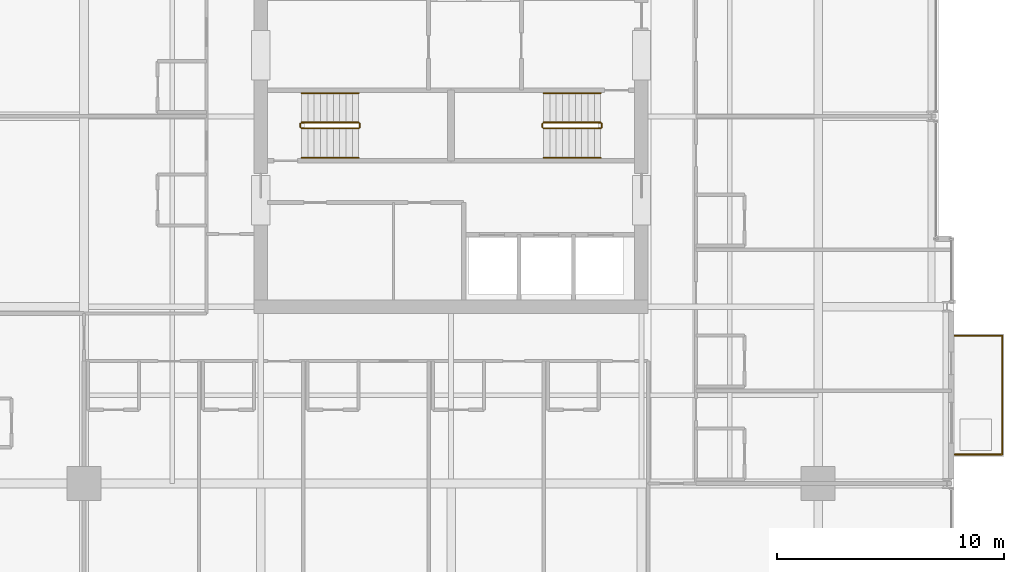
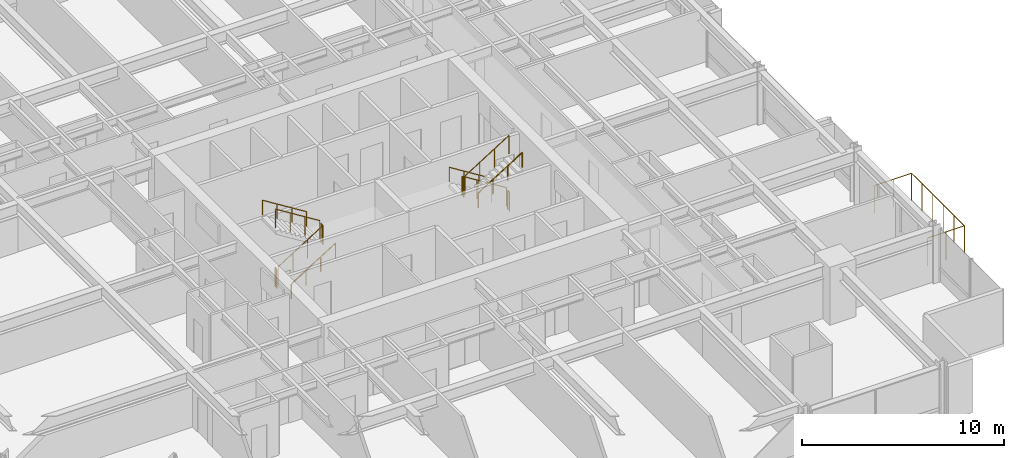
# One storey, part 33 of 34: 13 railings.
"""IFC4 building model written with IfcOpenShell, lengths in metres."""

from ifc_helpers import new_model, si_unit, direction, frame, origin, origin_2d, place, context, subcontext, project, spatial, circle, extrude, material, type_object, element, save


model = new_model("IFC4")

# Units and contexts
model_context = context("Model", 3, precision=1e-05, world=origin(), true_north=direction((0.0, 1.0)))
body_context = subcontext(model_context, "Body", "Model", "MODEL_VIEW")
ifc_project = project(units=[si_unit("LENGTHUNIT", "METRE"), si_unit("AREAUNIT", "SQUARE_METRE"), si_unit("VOLUMEUNIT", "CUBIC_METRE"), si_unit("PLANEANGLEUNIT", "RADIAN"), si_unit("MASSUNIT", "GRAM", prefix="KILO")], contexts=[model_context])

# Site, building, storey
site_placement = place(None, origin())
site = spatial("IfcSite", under=ifc_project, at=site_placement, CompositionType="ELEMENT")
building_placement = place(site_placement, origin())
building = spatial("IfcBuilding", under=site, at=building_placement, Name="Drelvath Grand Hotel", CompositionType="ELEMENT")
storey_placement = place(building_placement, frame((0.0, 0.0, 91.800048828125)))
storey = spatial("IfcBuildingStorey", under=building, at=storey_placement, Name="L22", CompositionType="ELEMENT", Elevation=91.800048828125)

# Railings
ifc_material_1 = material(Name="Painted Steel S275", Category="steel")
railing_type_1 = type_object("IfcRailingType", Name="Core Stair Wall Handrail 900", PredefinedType="HANDRAIL", material=ifc_material_1)
railing_1_placement = place(storey_placement, frame((-6.60009765625, 25.169921875, 0.175048828125)))
element("IfcRailing", 1, at=railing_1_placement, inside=storey, type_object=railing_type_1, Name="L22 ST-1 stair handrail 1", PredefinedType="HANDRAIL", context=body_context, shape_type="SweptSolid", body=[
    extrude(circle(Radius=0.02392578125, at=origin_2d()), frame((0.0, 0.0, 0.8759765625), z_axis=(0.848007534815, 0.0, 0.529984170421), x_axis=(0.0, 1.0, 0.0)), (0.0, 0.0, 1.0), 2.9716796875),
    extrude(circle(Radius=0.02099609375, at=origin_2d()), origin(), (0.0, 0.0, 1.0), 0.851806640625),
    extrude(circle(Radius=0.02099609375, at=origin_2d()), frame((0.840087890625, 0.0, 0.52490234375)), (0.0, 0.0, 1.0), 0.851806640625),
    extrude(circle(Radius=0.02099609375, at=origin_2d()), frame((1.679931640625, 0.0, 1.050048828125)), (0.0, 0.0, 1.0), 0.851806640625),
    extrude(circle(Radius=0.02099609375, at=origin_2d()), frame((2.52001953125, 0.0, 1.574951171875)), (0.0, 0.0, 1.0), 0.851806640625),
])
for number, where, name in (
    (2, (-4.080078125, 28.030029296875, 1.925048828125), "L22 ST-1 stair handrail 2"),
    (3, (6.60009765625, 28.030029296875, 0.175048828125), "L22 ST-2 stair handrail 1"),
):
    element("IfcRailing", number, at=place(storey_placement, frame(where)), inside=storey, type_object=railing_type_1, Name=name, PredefinedType="HANDRAIL", context=body_context, shape_type="SweptSolid", body=[
        extrude(circle(Radius=0.02392578125, at=origin_2d()), frame((0.0, 0.0, 0.8759765625), z_axis=(-0.848007534815, 0.0, 0.529984170421), x_axis=(0.0, -1.0, 0.0)), (0.0, 0.0, 1.0), 2.9716796875),
        extrude(circle(Radius=0.02099609375, at=origin_2d()), origin(), (0.0, 0.0, 1.0), 0.851806640625),
        extrude(circle(Radius=0.02099609375, at=origin_2d()), frame((-0.840087890625, 0.0, 0.52490234375)), (0.0, 0.0, 1.0), 0.851806640625),
        extrude(circle(Radius=0.02099609375, at=origin_2d()), frame((-1.679931640625, 0.0, 1.050048828125)), (0.0, 0.0, 1.0), 0.851806640625),
        extrude(circle(Radius=0.02099609375, at=origin_2d()), frame((-2.52001953125, 0.0, 1.574951171875)), (0.0, 0.0, 1.0), 0.851806640625),
    ])
railing_2_placement = place(storey_placement, frame((4.080078125, 25.169921875, 1.925048828125)))
element("IfcRailing", 4, at=railing_2_placement, inside=storey, type_object=railing_type_1, Name="L22 ST-2 stair handrail 2", PredefinedType="HANDRAIL", context=body_context, shape_type="SweptSolid", body=[
    extrude(circle(Radius=0.02392578125, at=origin_2d()), frame((0.0, 0.0, 0.8759765625), z_axis=(0.848007534815, 0.0, 0.529984170421), x_axis=(0.0, 1.0, 0.0)), (0.0, 0.0, 1.0), 2.9716796875),
    extrude(circle(Radius=0.02099609375, at=origin_2d()), origin(), (0.0, 0.0, 1.0), 0.851806640625),
    extrude(circle(Radius=0.02099609375, at=origin_2d()), frame((0.840087890625, 0.0, 0.52490234375)), (0.0, 0.0, 1.0), 0.851806640625),
    extrude(circle(Radius=0.02099609375, at=origin_2d()), frame((1.679931640625, 0.0, 1.050048828125)), (0.0, 0.0, 1.0), 0.851806640625),
    extrude(circle(Radius=0.02099609375, at=origin_2d()), frame((2.52001953125, 0.0, 1.574951171875)), (0.0, 0.0, 1.0), 0.851806640625),
])
railing_type_2 = type_object("IfcRailingType", Name="Core Stair Well Guardrail 1100", PredefinedType="GUARDRAIL", material=ifc_material_1)
railing_3_placement = place(storey_placement, frame((-6.60009765625, 26.469970703125, 0.175048828125)))
element("IfcRailing", 5, at=railing_3_placement, inside=storey, type_object=railing_type_2, Name="L22 ST-1 stair guard 1", PredefinedType="GUARDRAIL", context=body_context, shape_type="SweptSolid", body=[
    extrude(circle(Radius=0.02392578125, at=origin_2d()), frame((0.0, 0.0, 1.1259765625), z_axis=(0.848007534815, 0.0, 0.529984170421), x_axis=(0.0, 1.0, 0.0)), (0.0, 0.0, 1.0), 2.9716796875),
    extrude(circle(Radius=0.02099609375, at=origin_2d()), origin(), (0.0, 0.0, 1.0), 1.101806640625),
    extrude(circle(Radius=0.02099609375, at=origin_2d()), frame((0.840087890625, 0.0, 0.52490234375)), (0.0, 0.0, 1.0), 1.101806640625),
    extrude(circle(Radius=0.02099609375, at=origin_2d()), frame((1.679931640625, 0.0, 1.050048828125)), (0.0, 0.0, 1.0), 1.101806640625),
    extrude(circle(Radius=0.02099609375, at=origin_2d()), frame((2.52001953125, 0.0, 1.574951171875)), (0.0, 0.0, 1.0), 1.101806640625),
])
railing_4_placement = place(storey_placement, frame((-4.030029296875, 26.52001953125, 1.75)))
element("IfcRailing", 6, at=railing_4_placement, inside=storey, type_object=railing_type_2, Name="L22 ST-1 stair guard 2", PredefinedType="GUARDRAIL", context=body_context, shape_type="SweptSolid", body=[
    extrude(circle(Radius=0.02392578125, at=origin_2d()), frame((0.0, 0.0, 1.1259765625), z_axis=(0.0, 1.0, 0.0), x_axis=(-1.0, 0.0, 0.0)), (0.0, 0.0, 1.0), 0.159912109375),
    extrude(circle(Radius=0.02099609375, at=origin_2d()), origin(), (0.0, 0.0, 1.0), 1.101806640625),
    extrude(circle(Radius=0.02099609375, at=origin_2d()), frame((0.0, 0.159912109375, 0.0)), (0.0, 0.0, 1.0), 1.101806640625),
])
railing_5_placement = place(storey_placement, frame((-4.080078125, 26.72998046875, 1.925048828125)))
element("IfcRailing", 7, at=railing_5_placement, inside=storey, type_object=railing_type_2, Name="L22 ST-1 stair guard 3", PredefinedType="GUARDRAIL", context=body_context, shape_type="SweptSolid", body=[
    extrude(circle(Radius=0.02392578125, at=origin_2d()), frame((0.0, 0.0, 1.1259765625), z_axis=(-0.848007534815, 0.0, 0.529984170421), x_axis=(0.0, -1.0, 0.0)), (0.0, 0.0, 1.0), 2.9716796875),
    extrude(circle(Radius=0.02099609375, at=origin_2d()), origin(), (0.0, 0.0, 1.0), 1.101806640625),
    extrude(circle(Radius=0.02099609375, at=origin_2d()), frame((-0.840087890625, 0.0, 0.52490234375)), (0.0, 0.0, 1.0), 1.101806640625),
    extrude(circle(Radius=0.02099609375, at=origin_2d()), frame((-1.679931640625, 0.0, 1.050048828125)), (0.0, 0.0, 1.0), 1.101806640625),
    extrude(circle(Radius=0.02099609375, at=origin_2d()), frame((-2.52001953125, 0.0, 1.574951171875)), (0.0, 0.0, 1.0), 1.101806640625),
])
railing_6_placement = place(storey_placement, frame((-6.64990234375, 26.52001953125, 0.0)))
element("IfcRailing", 8, at=railing_6_placement, inside=storey, type_object=railing_type_2, Name="L22 ST-1 stair guard 4", PredefinedType="GUARDRAIL", context=body_context, shape_type="SweptSolid", body=[
    extrude(circle(Radius=0.02392578125, at=origin_2d()), frame((0.0, 0.0, 1.1259765625), z_axis=(0.0, 1.0, 0.0), x_axis=(-1.0, 0.0, 0.0)), (0.0, 0.0, 1.0), 0.159912109375),
    extrude(circle(Radius=0.02099609375, at=origin_2d()), origin(), (0.0, 0.0, 1.0), 1.101806640625),
    extrude(circle(Radius=0.02099609375, at=origin_2d()), frame((0.0, 0.159912109375, 0.0)), (0.0, 0.0, 1.0), 1.101806640625),
])
railing_7_placement = place(storey_placement, frame((6.60009765625, 26.72998046875, 0.175048828125)))
element("IfcRailing", 9, at=railing_7_placement, inside=storey, type_object=railing_type_2, Name="L22 ST-2 stair guard 1", PredefinedType="GUARDRAIL", context=body_context, shape_type="SweptSolid", body=[
    extrude(circle(Radius=0.02392578125, at=origin_2d()), frame((0.0, 0.0, 1.1259765625), z_axis=(-0.848007534815, 0.0, 0.529984170421), x_axis=(0.0, -1.0, 0.0)), (0.0, 0.0, 1.0), 2.9716796875),
    extrude(circle(Radius=0.02099609375, at=origin_2d()), origin(), (0.0, 0.0, 1.0), 1.101806640625),
    extrude(circle(Radius=0.02099609375, at=origin_2d()), frame((-0.840087890625, 0.0, 0.52490234375)), (0.0, 0.0, 1.0), 1.101806640625),
    extrude(circle(Radius=0.02099609375, at=origin_2d()), frame((-1.679931640625, 0.0, 1.050048828125)), (0.0, 0.0, 1.0), 1.101806640625),
    extrude(circle(Radius=0.02099609375, at=origin_2d()), frame((-2.52001953125, 0.0, 1.574951171875)), (0.0, 0.0, 1.0), 1.101806640625),
])
railing_8_placement = place(storey_placement, frame((4.030029296875, 26.679931640625, 1.75)))
element("IfcRailing", 10, at=railing_8_placement, inside=storey, type_object=railing_type_2, Name="L22 ST-2 stair guard 2", PredefinedType="GUARDRAIL", context=body_context, shape_type="SweptSolid", body=[
    extrude(circle(Radius=0.02392578125, at=origin_2d()), frame((0.0, 0.0, 1.1259765625), z_axis=(0.0, -1.0, 0.0), x_axis=(1.0, 0.0, 0.0)), (0.0, 0.0, 1.0), 0.159912109375),
    extrude(circle(Radius=0.02099609375, at=origin_2d()), origin(), (0.0, 0.0, 1.0), 1.101806640625),
    extrude(circle(Radius=0.02099609375, at=origin_2d()), frame((0.0, -0.159912109375, 0.0)), (0.0, 0.0, 1.0), 1.101806640625),
])
railing_9_placement = place(storey_placement, frame((4.080078125, 26.469970703125, 1.925048828125)))
element("IfcRailing", 11, at=railing_9_placement, inside=storey, type_object=railing_type_2, Name="L22 ST-2 stair guard 3", PredefinedType="GUARDRAIL", context=body_context, shape_type="SweptSolid", body=[
    extrude(circle(Radius=0.02392578125, at=origin_2d()), frame((0.0, 0.0, 1.1259765625), z_axis=(0.848007534815, 0.0, 0.529984170421), x_axis=(0.0, 1.0, 0.0)), (0.0, 0.0, 1.0), 2.9716796875),
    extrude(circle(Radius=0.02099609375, at=origin_2d()), origin(), (0.0, 0.0, 1.0), 1.101806640625),
    extrude(circle(Radius=0.02099609375, at=origin_2d()), frame((0.840087890625, 0.0, 0.52490234375)), (0.0, 0.0, 1.0), 1.101806640625),
    extrude(circle(Radius=0.02099609375, at=origin_2d()), frame((1.679931640625, 0.0, 1.050048828125)), (0.0, 0.0, 1.0), 1.101806640625),
    extrude(circle(Radius=0.02099609375, at=origin_2d()), frame((2.52001953125, 0.0, 1.574951171875)), (0.0, 0.0, 1.0), 1.101806640625),
])
railing_10_placement = place(storey_placement, frame((6.64990234375, 26.679931640625, 0.0)))
element("IfcRailing", 12, at=railing_10_placement, inside=storey, type_object=railing_type_2, Name="L22 ST-2 stair guard 4", PredefinedType="GUARDRAIL", context=body_context, shape_type="SweptSolid", body=[
    extrude(circle(Radius=0.02392578125, at=origin_2d()), frame((0.0, 0.0, 1.1259765625), z_axis=(0.0, -1.0, 0.0), x_axis=(1.0, 0.0, 0.0)), (0.0, 0.0, 1.0), 0.159912109375),
    extrude(circle(Radius=0.02099609375, at=origin_2d()), origin(), (0.0, 0.0, 1.0), 1.101806640625),
    extrude(circle(Radius=0.02099609375, at=origin_2d()), frame((0.0, -0.159912109375, 0.0)), (0.0, 0.0, 1.0), 1.101806640625),
])
ifc_material_2 = material(Name="Anodised Aluminium and Laminated Glass Balustrade", Category="aluminium")
railing_type_3 = type_object("IfcRailingType", Name="Raised Planter Edge Balustrade 1700", PredefinedType="BALUSTRADE", material=ifc_material_2)
railing_11_placement = place(storey_placement, frame((22.219970703125, 12.080078125, 0.0)))
element("IfcRailing", 13, at=railing_11_placement, inside=storey, type_object=railing_type_3, Name="L22 Tree Balcony Perimeter Balustrade 1", PredefinedType="BALUSTRADE", context=body_context, shape_type="SweptSolid", body=[
    extrude(circle(Radius=0.02392578125, at=origin_2d()), frame((0.0, 0.0, 1.67578125), z_axis=(1.0, 0.0, 0.0), x_axis=(0.0, 1.0, 0.0)), (0.0, 0.0, 1.0), 2.10009765625),
    extrude(circle(Radius=0.02392578125, at=origin_2d()), frame((2.10009765625, 0.0, 1.67578125), z_axis=(0.0, 1.0, 0.0), x_axis=(-1.0, 0.0, 0.0)), (0.0, 0.0, 1.0), 5.239990234375),
    extrude(circle(Radius=0.02392578125, at=origin_2d()), frame((2.10009765625, 5.239990234375, 1.67578125), z_axis=(-1.0, 0.0, 0.0), x_axis=(0.0, -1.0, 0.0)), (0.0, 0.0, 1.0), 2.10009765625),
    extrude(circle(Radius=0.02099609375, at=origin_2d()), origin(), (0.0, 0.0, 1.0), 1.65185546875),
    extrude(circle(Radius=0.02099609375, at=origin_2d()), frame((1.050048828125, 0.0, 0.0)), (0.0, 0.0, 1.0), 1.65185546875),
    extrude(circle(Radius=0.02099609375, at=origin_2d()), frame((2.10009765625, 0.0, 0.0)), (0.0, 0.0, 1.0), 1.65185546875),
    extrude(circle(Radius=0.02099609375, at=origin_2d()), frame((2.10009765625, 1.048095703125, 0.0)), (0.0, 0.0, 1.0), 1.65185546875),
    extrude(circle(Radius=0.02099609375, at=origin_2d()), frame((2.10009765625, 2.095947265625, 0.0)), (0.0, 0.0, 1.0), 1.65185546875),
    extrude(circle(Radius=0.02099609375, at=origin_2d()), frame((2.10009765625, 3.14404296875, 0.0)), (0.0, 0.0, 1.0), 1.65185546875),
    extrude(circle(Radius=0.02099609375, at=origin_2d()), frame((2.10009765625, 4.19189453125, 0.0)), (0.0, 0.0, 1.0), 1.65185546875),
    extrude(circle(Radius=0.02099609375, at=origin_2d()), frame((2.10009765625, 5.239990234375, 0.0)), (0.0, 0.0, 1.0), 1.65185546875),
    extrude(circle(Radius=0.02099609375, at=origin_2d()), frame((1.050048828125, 5.239990234375, 0.0)), (0.0, 0.0, 1.0), 1.65185546875),
    extrude(circle(Radius=0.02099609375, at=origin_2d()), frame((0.0, 5.239990234375, 0.0)), (0.0, 0.0, 1.0), 1.65185546875),
])

save(model, "model.ifc")
